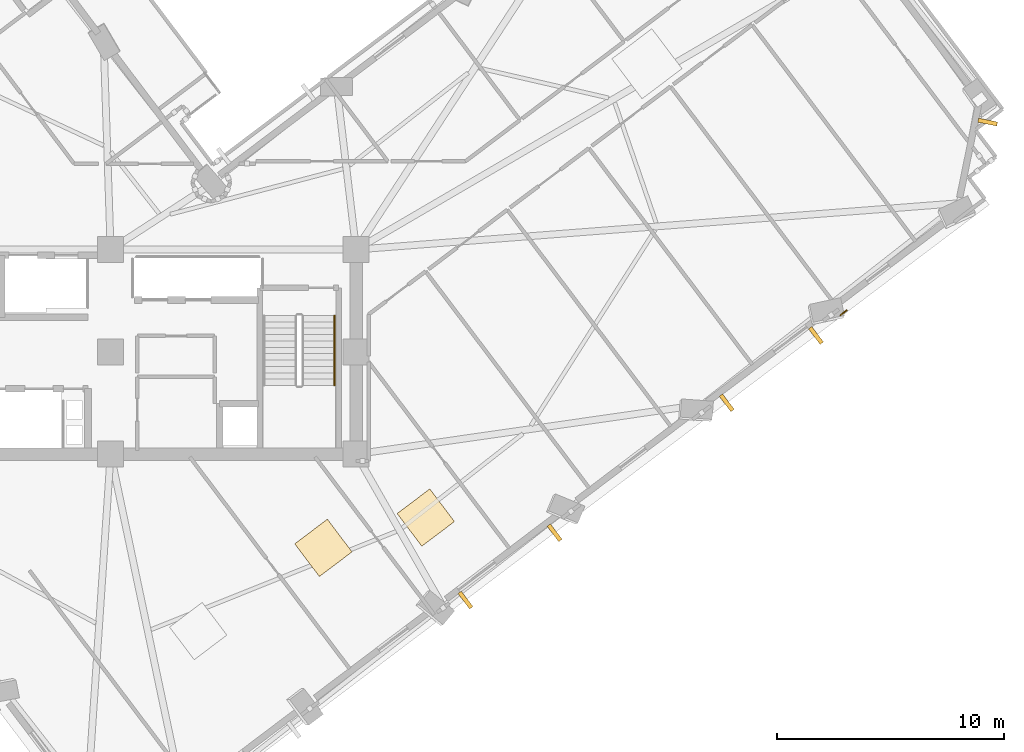
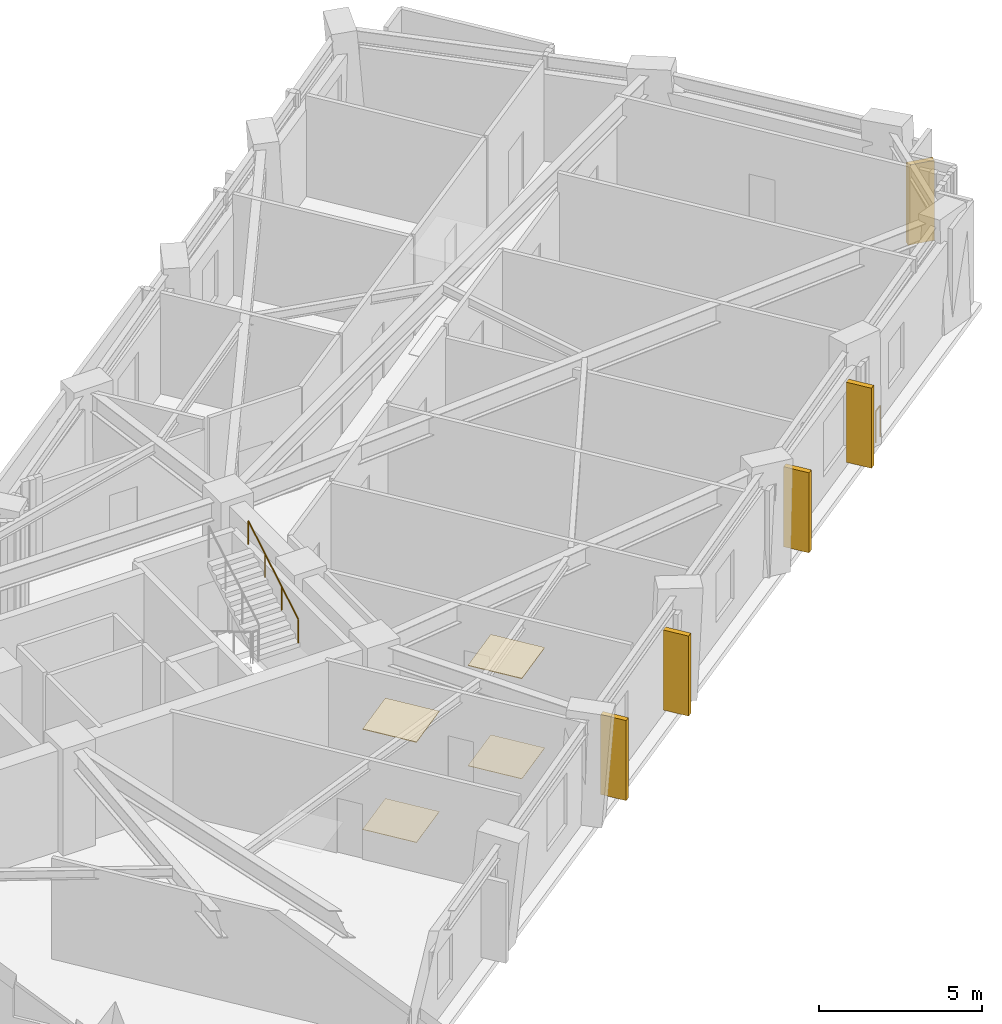
# One storey, part 13 of 15: 5 shading devices, 4 coverings, 2 railings.
"""IFC4 building model written with IfcOpenShell, lengths in metres."""

from ifc_helpers import new_model, si_unit, direction, frame, origin, origin_2d, place, context, subcontext, project, spatial, rectangle, circle, extrude, material, layer, layer_set, type_object, element, save


model = new_model("IFC4")

# Units and contexts
model_context = context("Model", 3, precision=1e-05, world=origin(), true_north=direction((0.0, 1.0)))
body_context = subcontext(model_context, "Body", "Model", "MODEL_VIEW")
ifc_project = project(units=[si_unit("LENGTHUNIT", "METRE"), si_unit("AREAUNIT", "SQUARE_METRE"), si_unit("VOLUMEUNIT", "CUBIC_METRE"), si_unit("PLANEANGLEUNIT", "RADIAN"), si_unit("MASSUNIT", "GRAM", prefix="KILO")], contexts=[model_context])

# Site, building, storey
site_placement = place(None, origin())
site = spatial("IfcSite", under=ifc_project, at=site_placement, CompositionType="ELEMENT")
building_placement = place(site_placement, origin())
building = spatial("IfcBuilding", under=site, at=building_placement, Name="Gaonmaruhae Medical Tower", CompositionType="ELEMENT")
storey_placement = place(building_placement, frame((0.0, 0.0, 181.800048828125)))
storey = spatial("IfcBuildingStorey", under=building, at=storey_placement, Name="L43", CompositionType="ELEMENT", Elevation=181.800048828125)

# Coverings
ifc_material_1 = material(Name="Acoustic mineral ceiling tile", Category="finish")
ifc_layer_1 = layer(ifc_material_1, 0.02490234375)
ifc_layer_set_1 = layer_set([ifc_layer_1], Name="Acoustic mineral ceiling tile")
covering_type_1 = type_object("IfcCoveringType", Name="CLG-01 Antimicrobial Acoustic Mineral Ceiling", PredefinedType="CEILING", material=ifc_layer_set_1)
for number, where, z_axis, x_axis, name in (
    (1, (34.16064453125, 3.676025390625, 3.7548828125), (0.0, 0.0, 1.0), (0.798110023334, 0.602511734868, 0.0), "L43 Clinical Room Acoustic Ceiling 3"),
    (2, (38.6669921875, 5.009521484375, 3.7548828125), (0.0, 0.0, 1.0), (0.798110023334, 0.602511734868, 0.0), "L43 Clinical Room Acoustic Ceiling 4"),
):
    element("IfcCovering", number, at=place(storey_placement, frame(where, z_axis=z_axis, x_axis=x_axis)), inside=storey, type_object=covering_type_1, Name=name, PredefinedType="CEILING", context=body_context, shape_type="SweptSolid", body=[
        extrude(rectangle(XDim=1.800048828125, YDim=1.800048828125, at=origin_2d()), origin(), (0.0, 0.0, 1.0), 0.02490234375),
    ])
ifc_material_2 = material(Name="Seamless clinical vinyl flooring", Category="finish")
ifc_layer_2 = layer(ifc_material_2, 0.014892578125)
ifc_layer_set_2 = layer_set([ifc_layer_2], Name="Seamless clinical vinyl flooring")
covering_type_2 = type_object("IfcCoveringType", Name="FLR-01 Seamless Clinical Antistatic Vinyl Flooring", PredefinedType="FLOORING", material=ifc_layer_set_2)
for number, where, z_axis, x_axis, name in (
    (3, (34.16064453125, 3.676025390625, 0.0), (0.0, 0.0, 1.0), (0.798110023334, 0.602511734868, 0.0), "L43 Clinical Room Vinyl Flooring 3"),
    (4, (38.6669921875, 5.009521484375, 0.0), (0.0, 0.0, 1.0), (0.798110023334, 0.602511734868, 0.0), "L43 Clinical Room Vinyl Flooring 4"),
):
    element("IfcCovering", number, at=place(storey_placement, frame(where, z_axis=z_axis, x_axis=x_axis)), inside=storey, type_object=covering_type_2, Name=name, PredefinedType="FLOORING", context=body_context, shape_type="SweptSolid", body=[
        extrude(rectangle(XDim=1.800048828125, YDim=1.800048828125, at=origin_2d()), origin(), (0.0, 0.0, 1.0), 0.014892578125),
    ])

# Railings
ifc_material_3 = material(Name="Stainless steel 316L and laminated safety glass", Category="steel")
ifc_layer_3 = layer(ifc_material_3, 0.080078125)
ifc_layer_set_3 = layer_set([ifc_layer_3], Name="Stainless steel 316L and laminated safety glass")
railing_type_1 = type_object("IfcRailingType", Name="GD-120 Outdoor Terrace Safety Glass & Steel Balustrade", PredefinedType="BALUSTRADE", material=ifc_layer_set_3)
railing_1_placement = place(storey_placement, frame((57.181884765625, 14.122802734375, 0.0)))
element("IfcRailing", 5, at=railing_1_placement, inside=storey, type_object=railing_type_1, Name="L43 Perimeter Slab Edge Safety Balustrade 03", PredefinedType="BALUSTRADE", context=body_context, shape_type="SweptSolid", body=[
    extrude(circle(Radius=0.02392578125, at=origin_2d()), frame((0.0, 0.0, 1.17578125), z_axis=(-0.797836564917, -0.602873797475, 0.0), x_axis=(0.602873797475, -0.797836564917, 0.0)), (0.0, 0.0, 1.0), 0.33935546875),
    extrude(circle(Radius=0.02099609375, at=origin_2d()), origin(), (0.0, 0.0, 1.0), 1.15185546875),
    extrude(circle(Radius=0.02099609375, at=origin_2d()), frame((-0.270751953125, -0.20458984375, 0.0)), (0.0, 0.0, 1.0), 1.15185546875),
])
ifc_material_4 = material(Name="Stainless steel 304 handrail", Category="steel")
railing_type_2 = type_object("IfcRailingType", Name="HR-092 Continuous Stainless Steel Stair Handrail", PredefinedType="HANDRAIL", material=ifc_material_4)
railing_2_placement = place(storey_placement, frame((34.64990234375, 10.820068359375, 2.16650390625)))
element("IfcRailing", 6, at=railing_2_placement, inside=storey, type_object=railing_type_2, Name="L43 ST-02 stair handrail 2", PredefinedType="HANDRAIL", context=body_context, shape_type="SweptSolid", body=[
    extrude(circle(Radius=0.02392578125, at=origin_2d()), frame((0.0, 0.0, 0.8759765625), z_axis=(0.0, 0.859260807169, 0.511537745687), x_axis=(-1.0, 0.0, 0.0)), (0.0, 0.0, 1.0), 3.584228515625),
    extrude(circle(Radius=0.02099609375, at=origin_2d()), origin(), (0.0, 0.0, 1.0), 0.851806640625),
    extrude(circle(Radius=0.02099609375, at=origin_2d()), frame((0.0, 1.026611328125, 0.611083984375)), (0.0, 0.0, 1.0), 0.851806640625),
    extrude(circle(Radius=0.02099609375, at=origin_2d()), frame((0.0, 2.05322265625, 1.222412109375)), (0.0, 0.0, 1.0), 0.851806640625),
    extrude(circle(Radius=0.02099609375, at=origin_2d()), frame((0.0, 3.079833984375, 1.83349609375)), (0.0, 0.0, 1.0), 0.851806640625),
])

# Shading devices
ifc_material_5 = material(Name="Pigmented coral precast concrete C45/55", Category="concrete")
shading_device_type = type_object("IfcShadingDeviceType", Name="SD-FIN1 Tower Vertical Coral Precast Shading Fin", PredefinedType="USERDEFINED", material=ifc_material_5)
for number, where, z_axis, x_axis, name in (
    (7, (44.33251953125, 4.341064453125, 0.132568359375), (0.0, 0.0, 1.0), (-0.798110023334, -0.602511734868, 0.0), "L43 Vertical Coral Precast Shading Fin S03"),
    (8, (40.410400390625, 1.380126953125, 0.132568359375), (0.0, 0.0, 1.0), (-0.798110023334, -0.602511734868, 0.0), "L43 Vertical Coral Precast Shading Fin S03B"),
    (9, (55.831787109375, 13.022216796875, 0.132568359375), (0.0, 0.0, 1.0), (-0.798110023334, -0.602511734868, 0.0), "L43 Vertical Coral Precast Shading Fin S05"),
    (10, (51.906494140625, 10.058837890625, 0.132568359375), (0.0, 0.0, 1.0), (-0.798110023334, -0.602511734868, 0.0), "L43 Vertical Coral Precast Shading Fin S05B"),
    (11, (63.388427734375, 22.408447265625, 0.132568359375), (0.0, 0.0, 1.0), (-0.199402140121, -0.97991774477, 0.0), "L43 Vertical Coral Precast Shading Fin S07"),
):
    element("IfcShadingDevice", number, at=place(storey_placement, frame(where, z_axis=z_axis, x_axis=x_axis)), inside=storey, type_object=shading_device_type, Name=name, ObjectType="FIN", PredefinedType="USERDEFINED", context=body_context, shape_type="SweptSolid", body=[
        extrude(rectangle(XDim=0.179931640625, YDim=0.85009765625, at=origin_2d()), origin(), (0.0, 0.0, 1.0), 3.0),
    ])

save(model, "model.ifc")
